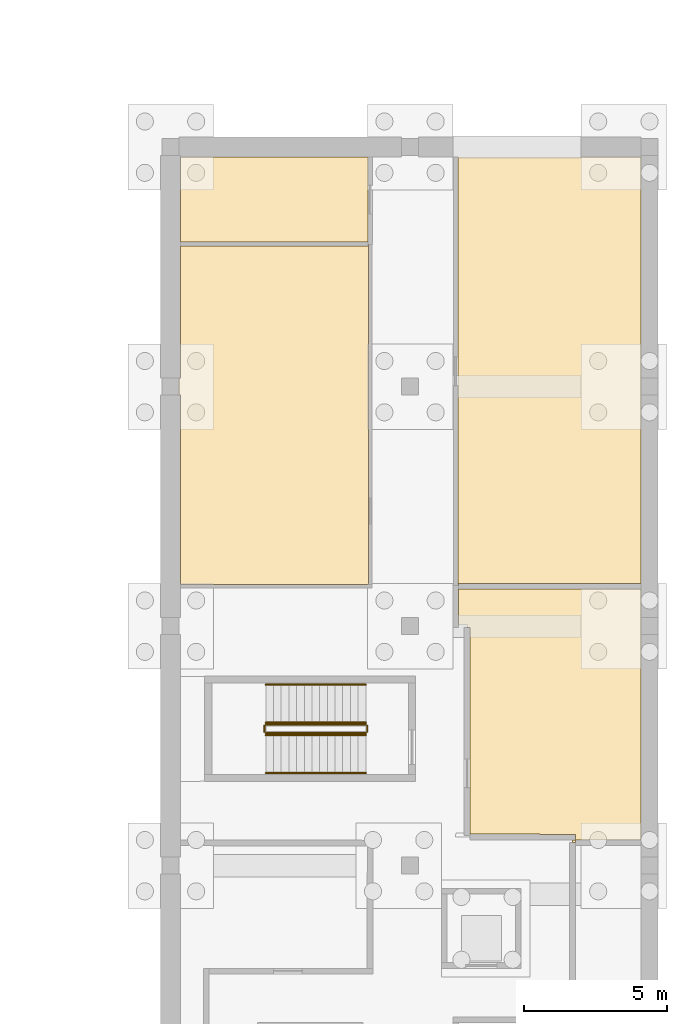
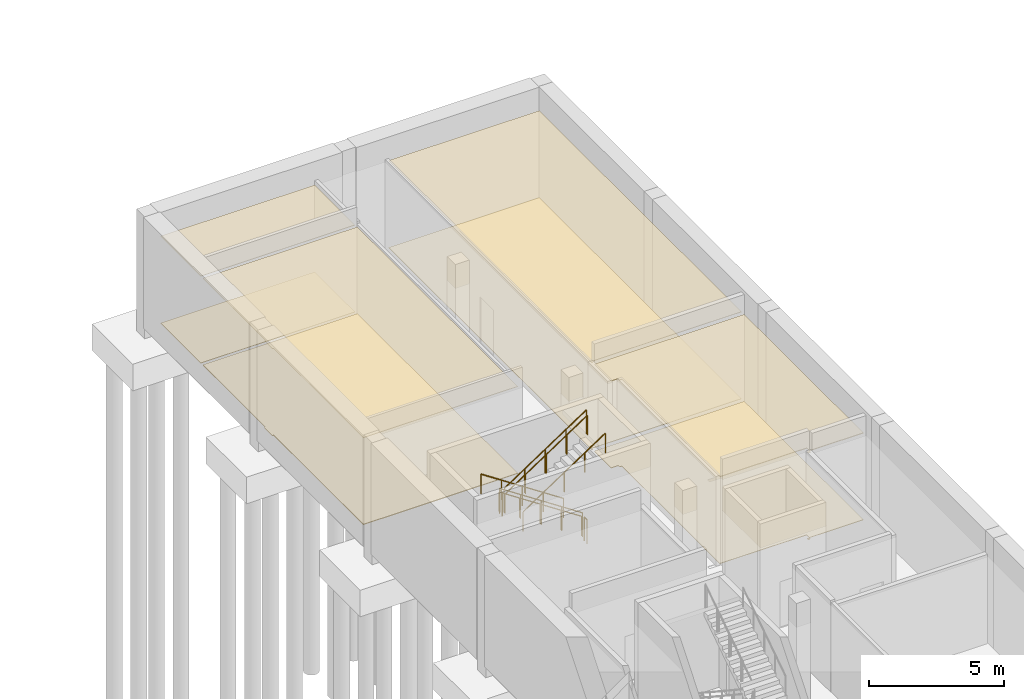
# One storey, part 26 of 33: 8 coverings, 8 railings.
"""IFC4 building model written with IfcOpenShell, lengths in metres."""

from ifc_helpers import new_model, si_unit, direction, frame, origin, origin_2d, place, context, subcontext, project, spatial, polyline, circle, outline, extrude, material, layer, layer_set, type_object, element, save


model = new_model("IFC4")

# Units and contexts
model_context = context("Model", 3, precision=1e-05, world=origin(), true_north=direction((0.0, 1.0)))
body_context = subcontext(model_context, "Body", "Model", "MODEL_VIEW")
ifc_project = project(units=[si_unit("LENGTHUNIT", "METRE"), si_unit("AREAUNIT", "SQUARE_METRE"), si_unit("VOLUMEUNIT", "CUBIC_METRE"), si_unit("PLANEANGLEUNIT", "RADIAN"), si_unit("MASSUNIT", "GRAM", prefix="KILO")], contexts=[model_context])

# Site, building, storey
site_placement = place(None, origin())
site = spatial("IfcSite", under=ifc_project, at=site_placement, CompositionType="ELEMENT")
building_placement = place(site_placement, origin())
building = spatial("IfcBuilding", under=site, at=building_placement, Name="Larchfold Concert Hall", CompositionType="ELEMENT")
storey_placement = place(building_placement, frame((0.0, 0.0, -5.0)))
storey = spatial("IfcBuildingStorey", under=building, at=storey_placement, Name="B1", CompositionType="ELEMENT", Elevation=-5.0)

# Coverings
ifc_material_1 = material(Name="Mineral fibre ceiling tile")
ifc_layer_1 = layer(ifc_material_1, 0.02001953125)
ifc_layer_set_1 = layer_set([ifc_layer_1], Name="Mineral fibre ceiling tile")
covering_type_1 = type_object("IfcCoveringType", Name="Ceiling mineral fibre tile 20", PredefinedType="CEILING", material=ifc_layer_set_1)
covering_1_placement = place(storey_placement, frame((0.0, 0.0, 3.920166015625)))
element("IfcCovering", 1, at=covering_1_placement, inside=storey, type_object=covering_type_1, Name="Ceiling Artists' Store", PredefinedType="CEILING", context=body_context, shape_type="SweptSolid", body=[
    extrude(outline(polyline([(91.52490234375, 56.0), (91.525146484375, 59.0498046875), (84.9501953125, 59.0498046875), (84.9501953125, 56.074951171875), (91.52490234375, 56.074951171875), (91.52490234375, 56.0)])), origin(), (0.0, 0.0, 1.0), 0.02001953125),
])
covering_2_placement = place(storey_placement, frame((0.0, 0.0, 3.920166015625)))
element("IfcCovering", 2, at=covering_2_placement, inside=storey, type_object=covering_type_1, Name="Ceiling Musicians' Showers", PredefinedType="CEILING", context=body_context, shape_type="SweptSolid", body=[
    extrude(outline(polyline([(84.900146484375, 51.300048828125), (84.900146484375, 50.699951171875), (84.9501953125, 50.699951171875), (84.9501953125, 44.0625), (91.53662109375, 44.066650390625), (91.53759765625, 55.97998046875), (91.525146484375, 55.97998046875), (91.525146484375, 56.0), (91.52490234375, 55.925048828125), (84.9501953125, 55.925048828125), (84.9501953125, 51.300048828125), (84.900146484375, 51.300048828125)])), origin(), (0.0, 0.0, 1.0), 0.02001953125),
])
covering_3_placement = place(storey_placement, frame((0.0, 0.0, 3.920166015625)))
element("IfcCovering", 3, at=covering_3_placement, inside=storey, type_object=covering_type_1, Name="Ceiling Piano Store 02", PredefinedType="CEILING", context=body_context, shape_type="SweptSolid", body=[
    extrude(outline(polyline([(94.699951171875, 44.0), (94.699951171875, 44.10009765625), (101.099853515625, 44.10009765625), (101.099853515625, 59.0498046875), (94.675048828125, 59.0498046875), (94.674072265625, 44.02001953125), (94.69921875, 44.02001953125), (94.699951171875, 44.0)])), origin(), (0.0, 0.0, 1.0), 0.02001953125),
])
ifc_material_2 = material(Name="Plasterboard ceiling lining")
ifc_layer_2 = layer(ifc_material_2, 0.030029296875)
ifc_layer_set_2 = layer_set([ifc_layer_2], Name="Plasterboard ceiling lining")
covering_type_2 = type_object("IfcCoveringType", Name="Ceiling suspended plasterboard 30", PredefinedType="CEILING", material=ifc_layer_set_2)
covering_4_placement = place(storey_placement, frame((0.0, 0.0, 3.91015625)))
element("IfcCovering", 4, at=covering_4_placement, inside=storey, type_object=covering_type_2, Name="Ceiling Warm-up Room 04", PredefinedType="CEILING", context=body_context, shape_type="SweptSolid", body=[
    extrude(outline(polyline([(94.699951171875, 43.89990234375), (94.699951171875, 44.0), (94.69921875, 42.650146484375), (95.0, 42.650146484375), (95.0, 42.549072265625), (95.09912109375, 42.549072265625), (95.09912109375, 35.307861328125), (98.79931640625, 35.298828125), (98.798828125, 35.0986328125), (98.699951171875, 35.098876953125), (98.699951171875, 35.02001953125), (98.799072265625, 35.02001953125), (98.799072265625, 35.0), (98.800048828125, 35.10009765625), (101.099853515625, 35.10009765625), (101.099853515625, 43.89990234375), (94.699951171875, 43.89990234375)])), origin(), (0.0, 0.0, 1.0), 0.030029296875),
])
ifc_material_3 = material(Name="Ceramic tile")
ifc_layer_3 = layer(ifc_material_3, 0.030029296875)
ifc_layer_set_3 = layer_set([ifc_layer_3], Name="Ceramic tile")
covering_type_3 = type_object("IfcCoveringType", Name="Floor finish ceramic tile 30", PredefinedType="FLOORING", material=ifc_layer_set_3)
covering_5_placement = place(storey_placement, origin())
element("IfcCovering", 5, at=covering_5_placement, inside=storey, type_object=covering_type_3, Name="Floor finish Musicians' Showers", PredefinedType="FLOORING", context=body_context, shape_type="SweptSolid", body=[
    extrude(outline(polyline([(84.900146484375, 51.300048828125), (84.900146484375, 50.699951171875), (84.9501953125, 50.699951171875), (84.9501953125, 44.0625), (91.53662109375, 44.066650390625), (91.53759765625, 55.97998046875), (91.525146484375, 55.97998046875), (91.525146484375, 56.0), (91.52490234375, 55.925048828125), (84.9501953125, 55.925048828125), (84.9501953125, 51.300048828125), (84.900146484375, 51.300048828125)])), origin(), (0.0, 0.0, 1.0), 0.030029296875),
])
ifc_material_4 = material(Name="Linoleum sheet")
ifc_layer_4 = layer(ifc_material_4, 0.02001953125)
ifc_layer_set_4 = layer_set([ifc_layer_4], Name="Linoleum sheet")
covering_type_4 = type_object("IfcCoveringType", Name="Floor finish vinyl 20", PredefinedType="FLOORING", material=ifc_layer_set_4)
covering_6_placement = place(storey_placement, origin())
element("IfcCovering", 6, at=covering_6_placement, inside=storey, type_object=covering_type_4, Name="Floor finish Warm-up Room 04", PredefinedType="FLOORING", context=body_context, shape_type="SweptSolid", body=[
    extrude(outline(polyline([(94.699951171875, 43.89990234375), (94.699951171875, 44.0), (94.69921875, 42.650146484375), (95.0, 42.650146484375), (95.0, 42.549072265625), (95.09912109375, 42.549072265625), (95.09912109375, 35.307861328125), (98.79931640625, 35.298828125), (98.798828125, 35.0986328125), (98.699951171875, 35.098876953125), (98.699951171875, 35.02001953125), (98.799072265625, 35.02001953125), (98.799072265625, 35.0), (98.800048828125, 35.10009765625), (101.099853515625, 35.10009765625), (101.099853515625, 43.89990234375), (94.699951171875, 43.89990234375)])), origin(), (0.0, 0.0, 1.0), 0.02001953125),
])
covering_7_placement = place(storey_placement, origin())
element("IfcCovering", 7, at=covering_7_placement, inside=storey, type_object=covering_type_4, Name="Floor finish Artists' Store", PredefinedType="FLOORING", context=body_context, shape_type="SweptSolid", body=[
    extrude(outline(polyline([(91.52490234375, 56.0), (91.525146484375, 59.0498046875), (84.9501953125, 59.0498046875), (84.9501953125, 56.074951171875), (91.52490234375, 56.074951171875), (91.52490234375, 56.0)])), origin(), (0.0, 0.0, 1.0), 0.02001953125),
])
covering_8_placement = place(storey_placement, origin())
element("IfcCovering", 8, at=covering_8_placement, inside=storey, type_object=covering_type_4, Name="Floor finish Piano Store 02", PredefinedType="FLOORING", context=body_context, shape_type="SweptSolid", body=[
    extrude(outline(polyline([(94.699951171875, 44.0), (94.699951171875, 44.10009765625), (101.099853515625, 44.10009765625), (101.099853515625, 59.0498046875), (94.675048828125, 59.0498046875), (94.674072265625, 44.02001953125), (94.69921875, 44.02001953125), (94.699951171875, 44.0)])), origin(), (0.0, 0.0, 1.0), 0.02001953125),
])

# Railings
ifc_material_5 = material(Name="Stainless steel balustrade", Category="steel")
railing_type_1 = type_object("IfcRailingType", Name="Stair guard 1100", PredefinedType="GUARDRAIL", material=ifc_material_5)
railing_1_placement = place(storey_placement, frame((91.449951171875, 39.150146484375, 0.178466796875)))
element("IfcRailing", 9, at=railing_1_placement, inside=storey, type_object=railing_type_1, Name="Guard GR0041", PredefinedType="GUARDRAIL", context=body_context, shape_type="SweptSolid", body=[
    extrude(circle(Radius=0.02392578125, at=origin_2d()), frame((0.0, 0.0, 1.076171875), z_axis=(-0.834070780157, 0.0, 0.551657442339), x_axis=(0.0, -1.0, 0.0)), (0.0, 0.0, 1.0), 4.208251953125),
    extrude(circle(Radius=0.02099609375, at=origin_2d()), origin(), (0.0, 0.0, 1.0), 1.052001953125),
    extrude(circle(Radius=0.02099609375, at=origin_2d()), frame((-0.87744140625, 0.0, 0.580322265625)), (0.0, 0.0, 1.0), 1.052001953125),
    extrude(circle(Radius=0.02099609375, at=origin_2d()), frame((-1.7548828125, 0.0, 1.16064453125)), (0.0, 0.0, 1.0), 1.052001953125),
    extrude(circle(Radius=0.02099609375, at=origin_2d()), frame((-2.632568359375, 0.0, 1.7412109375)), (0.0, 0.0, 1.0), 1.052001953125),
    extrude(circle(Radius=0.02099609375, at=origin_2d()), frame((-3.510009765625, 0.0, 2.321533203125)), (0.0, 0.0, 1.0), 1.052001953125),
])
railing_2_placement = place(storey_placement, frame((87.889892578125, 39.10009765625, 2.5)))
element("IfcRailing", 10, at=railing_2_placement, inside=storey, type_object=railing_type_1, Name="Guard GR0042", PredefinedType="GUARDRAIL", context=body_context, shape_type="SweptSolid", body=[
    extrude(circle(Radius=0.02392578125, at=origin_2d()), frame((0.0, 0.0, 1.076171875), z_axis=(0.0, -1.0, 0.0), x_axis=(1.0, 0.0, 0.0)), (0.0, 0.0, 1.0), 0.199951171875),
    extrude(circle(Radius=0.02099609375, at=origin_2d()), origin(), (0.0, 0.0, 1.0), 1.052001953125),
    extrude(circle(Radius=0.02099609375, at=origin_2d()), frame((0.0, -0.199951171875, 0.0)), (0.0, 0.0, 1.0), 1.052001953125),
])
railing_3_placement = place(storey_placement, frame((87.93994140625, 38.85009765625, 2.678466796875)))
element("IfcRailing", 11, at=railing_3_placement, inside=storey, type_object=railing_type_1, Name="Guard GR0043", PredefinedType="GUARDRAIL", context=body_context, shape_type="SweptSolid", body=[
    extrude(circle(Radius=0.02392578125, at=origin_2d()), frame((0.0, 0.0, 1.076171875), z_axis=(0.834070780157, 0.0, 0.551657442339), x_axis=(0.0, 1.0, 0.0)), (0.0, 0.0, 1.0), 4.208251953125),
    extrude(circle(Radius=0.02099609375, at=origin_2d()), origin(), (0.0, 0.0, 1.0), 1.052001953125),
    extrude(circle(Radius=0.02099609375, at=origin_2d()), frame((0.87744140625, 0.0, 0.580322265625)), (0.0, 0.0, 1.0), 1.052001953125),
    extrude(circle(Radius=0.02099609375, at=origin_2d()), frame((1.7548828125, 0.0, 1.16064453125)), (0.0, 0.0, 1.0), 1.052001953125),
    extrude(circle(Radius=0.02099609375, at=origin_2d()), frame((2.632568359375, 0.0, 1.7412109375)), (0.0, 0.0, 1.0), 1.052001953125),
    extrude(circle(Radius=0.02099609375, at=origin_2d()), frame((3.510009765625, 0.0, 2.321533203125)), (0.0, 0.0, 1.0), 1.052001953125),
])
railing_4_placement = place(storey_placement, frame((91.5, 39.10009765625, 0.0)))
element("IfcRailing", 12, at=railing_4_placement, inside=storey, type_object=railing_type_1, Name="Guard GR0044", PredefinedType="GUARDRAIL", context=body_context, shape_type="SweptSolid", body=[
    extrude(circle(Radius=0.02392578125, at=origin_2d()), frame((0.0, 0.0, 1.076171875), z_axis=(0.0, -1.0, 0.0), x_axis=(1.0, 0.0, 0.0)), (0.0, 0.0, 1.0), 0.199951171875),
    extrude(circle(Radius=0.02099609375, at=origin_2d()), origin(), (0.0, 0.0, 1.0), 1.052001953125),
    extrude(circle(Radius=0.02099609375, at=origin_2d()), frame((0.0, -0.199951171875, 0.0)), (0.0, 0.0, 1.0), 1.052001953125),
])
ifc_material_6 = material(Name="Stainless steel handrail", Category="steel")
railing_type_2 = type_object("IfcRailingType", Name="Stair handrail 900", PredefinedType="HANDRAIL", material=ifc_material_6)
railing_5_placement = place(storey_placement, frame((91.449951171875, 40.550048828125, 0.178466796875)))
element("IfcRailing", 13, at=railing_5_placement, inside=storey, type_object=railing_type_2, Name="Handrail HR0041", PredefinedType="HANDRAIL", context=body_context, shape_type="SweptSolid", body=[
    extrude(circle(Radius=0.02392578125, at=origin_2d()), frame((0.0, 0.0, 0.8759765625), z_axis=(-0.834070780157, 0.0, 0.551657442339), x_axis=(0.0, -1.0, 0.0)), (0.0, 0.0, 1.0), 4.208251953125),
    extrude(circle(Radius=0.02099609375, at=origin_2d()), origin(), (0.0, 0.0, 1.0), 0.851806640625),
    extrude(circle(Radius=0.02099609375, at=origin_2d()), frame((-0.87744140625, 0.0, 0.580322265625)), (0.0, 0.0, 1.0), 0.851806640625),
    extrude(circle(Radius=0.02099609375, at=origin_2d()), frame((-1.7548828125, 0.0, 1.16064453125)), (0.0, 0.0, 1.0), 0.851806640625),
    extrude(circle(Radius=0.02099609375, at=origin_2d()), frame((-2.632568359375, 0.0, 1.7412109375)), (0.0, 0.0, 1.0), 0.851806640625),
    extrude(circle(Radius=0.02099609375, at=origin_2d()), frame((-3.510009765625, 0.0, 2.321533203125)), (0.0, 0.0, 1.0), 0.851806640625),
])
railing_6_placement = place(storey_placement, frame((87.93994140625, 37.4501953125, 2.678466796875)))
element("IfcRailing", 14, at=railing_6_placement, inside=storey, type_object=railing_type_2, Name="Handrail HR0042", PredefinedType="HANDRAIL", context=body_context, shape_type="SweptSolid", body=[
    extrude(circle(Radius=0.02392578125, at=origin_2d()), frame((0.0, 0.0, 0.8759765625), z_axis=(0.834070780157, 0.0, 0.551657442339), x_axis=(0.0, 1.0, 0.0)), (0.0, 0.0, 1.0), 4.208251953125),
    extrude(circle(Radius=0.02099609375, at=origin_2d()), origin(), (0.0, 0.0, 1.0), 0.851806640625),
    extrude(circle(Radius=0.02099609375, at=origin_2d()), frame((0.87744140625, 0.0, 0.580322265625)), (0.0, 0.0, 1.0), 0.851806640625),
    extrude(circle(Radius=0.02099609375, at=origin_2d()), frame((1.7548828125, 0.0, 1.16064453125)), (0.0, 0.0, 1.0), 0.851806640625),
    extrude(circle(Radius=0.02099609375, at=origin_2d()), frame((2.632568359375, 0.0, 1.7412109375)), (0.0, 0.0, 1.0), 0.851806640625),
    extrude(circle(Radius=0.02099609375, at=origin_2d()), frame((3.510009765625, 0.0, 2.321533203125)), (0.0, 0.0, 1.0), 0.851806640625),
])
railing_7_placement = place(storey_placement, frame((91.449951171875, 39.22021484375, 0.178466796875)))
element("IfcRailing", 15, at=railing_7_placement, inside=storey, type_object=railing_type_2, Name="Handrail HR0043", PredefinedType="HANDRAIL", context=body_context, shape_type="SweptSolid", body=[
    extrude(circle(Radius=0.02392578125, at=origin_2d()), frame((0.0, 0.0, 0.8759765625), z_axis=(-0.834070780157, 0.0, 0.551657442339), x_axis=(0.0, -1.0, 0.0)), (0.0, 0.0, 1.0), 4.208251953125),
    extrude(circle(Radius=0.02099609375, at=origin_2d()), origin(), (0.0, 0.0, 1.0), 0.851806640625),
    extrude(circle(Radius=0.02099609375, at=origin_2d()), frame((-0.87744140625, 0.0, 0.580322265625)), (0.0, 0.0, 1.0), 0.851806640625),
    extrude(circle(Radius=0.02099609375, at=origin_2d()), frame((-1.7548828125, 0.0, 1.16064453125)), (0.0, 0.0, 1.0), 0.851806640625),
    extrude(circle(Radius=0.02099609375, at=origin_2d()), frame((-2.632568359375, 0.0, 1.7412109375)), (0.0, 0.0, 1.0), 0.851806640625),
    extrude(circle(Radius=0.02099609375, at=origin_2d()), frame((-3.510009765625, 0.0, 2.321533203125)), (0.0, 0.0, 1.0), 0.851806640625),
])
railing_8_placement = place(storey_placement, frame((87.93994140625, 38.780029296875, 2.678466796875)))
element("IfcRailing", 16, at=railing_8_placement, inside=storey, type_object=railing_type_2, Name="Handrail HR0044", PredefinedType="HANDRAIL", context=body_context, shape_type="SweptSolid", body=[
    extrude(circle(Radius=0.02392578125, at=origin_2d()), frame((0.0, 0.0, 0.8759765625), z_axis=(0.834070780157, 0.0, 0.551657442339), x_axis=(0.0, 1.0, 0.0)), (0.0, 0.0, 1.0), 4.208251953125),
    extrude(circle(Radius=0.02099609375, at=origin_2d()), origin(), (0.0, 0.0, 1.0), 0.851806640625),
    extrude(circle(Radius=0.02099609375, at=origin_2d()), frame((0.87744140625, 0.0, 0.580322265625)), (0.0, 0.0, 1.0), 0.851806640625),
    extrude(circle(Radius=0.02099609375, at=origin_2d()), frame((1.7548828125, 0.0, 1.16064453125)), (0.0, 0.0, 1.0), 0.851806640625),
    extrude(circle(Radius=0.02099609375, at=origin_2d()), frame((2.632568359375, 0.0, 1.7412109375)), (0.0, 0.0, 1.0), 0.851806640625),
    extrude(circle(Radius=0.02099609375, at=origin_2d()), frame((3.510009765625, 0.0, 2.321533203125)), (0.0, 0.0, 1.0), 0.851806640625),
])

save(model, "model.ifc")
